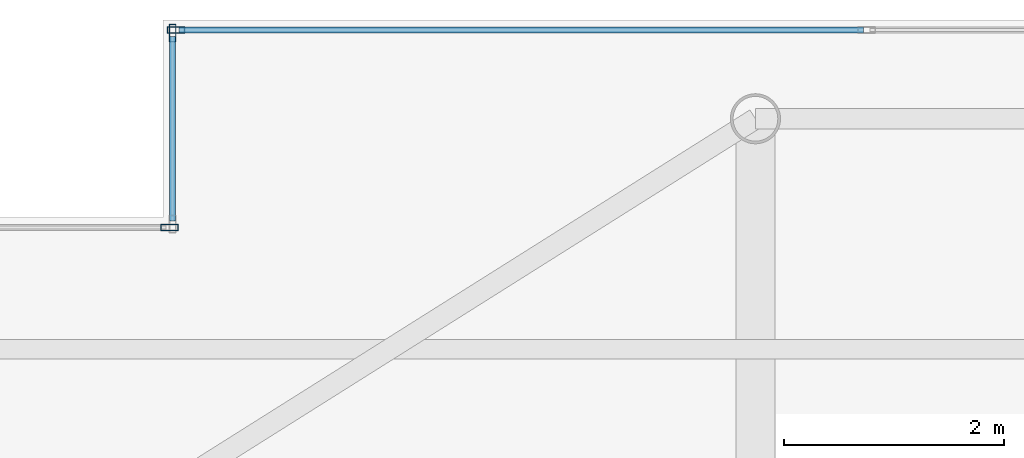
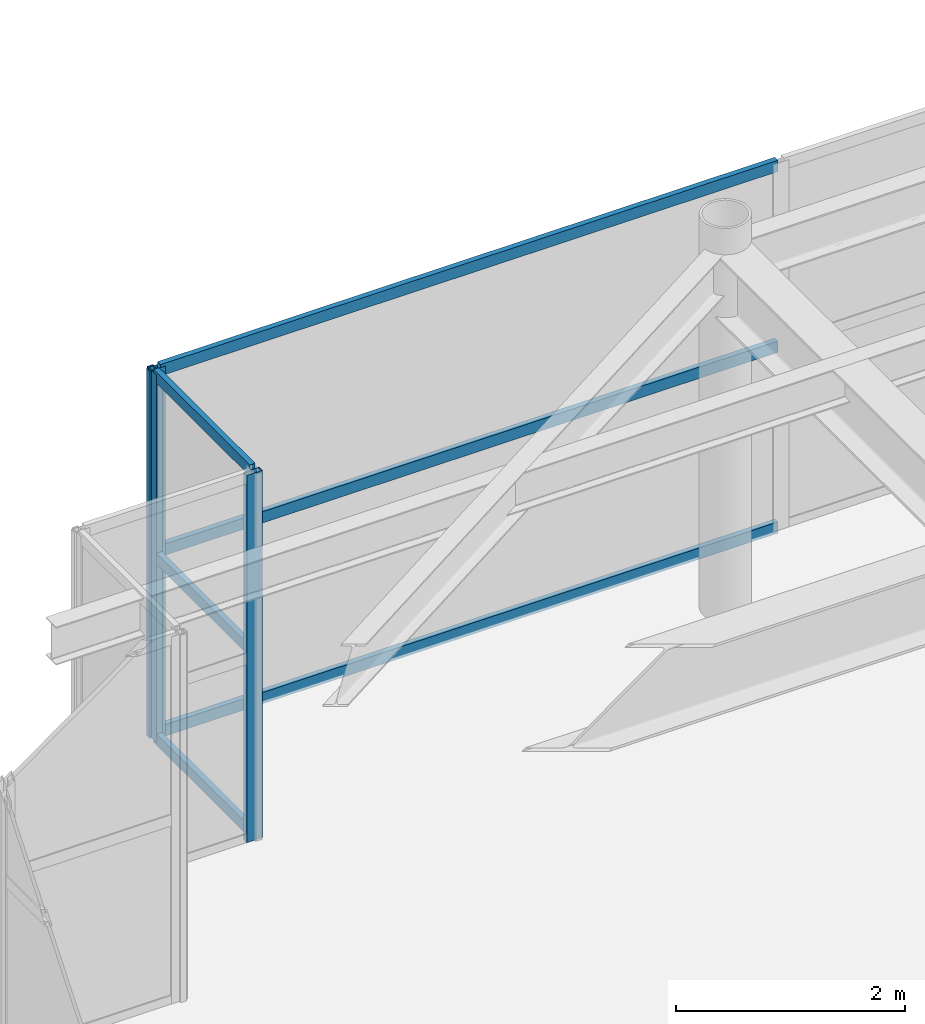
# One storey, part 22 of 32: 9 members, 3 elements without a shape of their own.
"""IFC4 building model written with IfcOpenShell, lengths in metres."""

from ifc_helpers import new_model, si_unit, direction, frame, origin, origin_2d, place, context, subcontext, project, spatial, hollow_rectangle, extrude, source, transform, mapped, material, layer, layer_set, material_profile, profile_set, type_object, element, aggregate, save


model = new_model("IFC4")

# Units and contexts
model_context = context("Model", 3, precision=1e-05, world=origin(), true_north=direction((0.0, 1.0)))
body_context = subcontext(model_context, "Body", "Model", "MODEL_VIEW")
ifc_project = project(units=[si_unit("LENGTHUNIT", "METRE"), si_unit("AREAUNIT", "SQUARE_METRE"), si_unit("VOLUMEUNIT", "CUBIC_METRE"), si_unit("PLANEANGLEUNIT", "RADIAN"), si_unit("MASSUNIT", "GRAM", prefix="KILO")], contexts=[model_context])

# Site, building, storey
site_placement = place(None, origin())
site = spatial("IfcSite", under=ifc_project, at=site_placement, CompositionType="ELEMENT")
building_placement = place(site_placement, origin())
building = spatial("IfcBuilding", under=site, at=building_placement, Name="Khoralis Quay Care Tower", CompositionType="ELEMENT")
storey_placement = place(building_placement, frame((0.0, 0.0, 310.5)))
storey = spatial("IfcBuildingStorey", under=building, at=storey_placement, Name="L81", CompositionType="ELEMENT", Elevation=310.5)

# Curtain wall, members
ifc_material = material(Name="Pale anodised aluminium", Category="aluminium")
ifc_layer = layer(ifc_material, 0.199951171875)
ifc_layer_set = layer_set([ifc_layer], Name="Pale anodised aluminium")
curtain_wall_type = type_object("IfcCurtainWallType", Name="CW-SYS-LANTERN", PredefinedType="NOTDEFINED", material=ifc_layer_set)
curtain_wall_1_placement = place(storey_placement, origin())
curtain_wall_1 = element("IfcCurtainWall", 1, at=curtain_wall_1_placement, inside=storey, type_object=curtain_wall_type, Name="L81 Unitised Curtain Wall CW-LN-L81-11", PredefinedType="NOTDEFINED")
ifc_material_profile_1 = material_profile(ifc_material, hollow_rectangle(XDim=0.054931640625, YDim=0.1201171875, WallThickness=0.00390625, at=origin_2d()), Name="Pale anodised aluminium")
ifc_profile_set_1 = profile_set([ifc_material_profile_1], Name="Pale anodised aluminium")
member_type_1 = type_object("IfcMemberType", Name="CW-TRN-120", PredefinedType="USERDEFINED", material=ifc_profile_set_1)
shared_shape_1 = source(origin(), body_context, "Body", "SweptSolid", [
    extrude(hollow_rectangle(XDim=0.054931640625, YDim=0.1201171875, WallThickness=0.00390625, at=origin_2d()), origin(), (0.0, 0.0, 1.0), 6.23388671875),
])
member_1_placement = place(storey_placement, frame((12.98388671875, 41.909912109375, 0.030029296875), z_axis=(-1.0, 0.0, 0.0), x_axis=(0.0, -1.0, 0.0)))
member_1 = element("IfcMember", 2, at=member_1_placement, type_object=member_type_1, Name="CW5 transom 5.1", ObjectType="TRANSOM", PredefinedType="USERDEFINED", context=body_context, shape_type="MappedRepresentation", body=[
    mapped(shared_shape_1, transform((0.0, 0.0, 0.0), scale=1.0)),
])
member_2_placement = place(storey_placement, frame((12.98388671875, 41.909912109375, 1.9599609375), z_axis=(-1.0, 0.0, 0.0), x_axis=(0.0, -1.0, 0.0)))
member_2 = element("IfcMember", 3, at=member_2_placement, type_object=member_type_1, Name="CW5 transom 5.2", ObjectType="TRANSOM", PredefinedType="USERDEFINED", context=body_context, shape_type="MappedRepresentation", body=[
    mapped(shared_shape_1, transform((0.0, 0.0, 0.0), scale=1.0)),
])
member_3_placement = place(storey_placement, frame((12.98388671875, 41.909912109375, 3.889892578125), z_axis=(-1.0, 0.0, 0.0), x_axis=(0.0, -1.0, 0.0)))
member_3 = element("IfcMember", 4, at=member_3_placement, type_object=member_type_1, Name="CW5 transom 5.3", ObjectType="TRANSOM", PredefinedType="USERDEFINED", context=body_context, shape_type="MappedRepresentation", body=[
    mapped(shared_shape_1, transform((0.0, 0.0, 0.0), scale=1.0)),
])

curtain_wall_2_placement = place(storey_placement, origin())
curtain_wall_2 = element("IfcCurtainWall", 5, at=curtain_wall_2_placement, inside=storey, type_object=curtain_wall_type, Name="L81 Unitised Curtain Wall CW-LN-L81-12", PredefinedType="NOTDEFINED")
shared_shape_2 = source(origin(), body_context, "Body", "SweptSolid", [
    extrude(hollow_rectangle(XDim=0.054931640625, YDim=0.1201171875, WallThickness=0.00390625, at=origin_2d()), origin(), (0.0, 0.0, 1.0), 1.68017578125),
])
member_4_placement = place(storey_placement, frame((6.68994140625, 41.85009765625, 0.030029296875), z_axis=(0.0, -1.0, 0.0), x_axis=(1.0, 0.0, 0.0)))
member_4 = element("IfcMember", 6, at=member_4_placement, type_object=member_type_1, Name="CW5 transom 1.1", ObjectType="TRANSOM", PredefinedType="USERDEFINED", context=body_context, shape_type="MappedRepresentation", body=[
    mapped(shared_shape_2, transform((0.0, 0.0, 0.0), scale=1.0)),
])
member_5_placement = place(storey_placement, frame((6.68994140625, 41.85009765625, 1.9599609375), z_axis=(0.0, -1.0, 0.0), x_axis=(1.0, 0.0, 0.0)))
member_5 = element("IfcMember", 7, at=member_5_placement, type_object=member_type_1, Name="CW5 transom 1.2", ObjectType="TRANSOM", PredefinedType="USERDEFINED", context=body_context, shape_type="MappedRepresentation", body=[
    mapped(shared_shape_2, transform((0.0, 0.0, 0.0), scale=1.0)),
])
member_6_placement = place(storey_placement, frame((6.68994140625, 41.85009765625, 3.889892578125), z_axis=(0.0, -1.0, 0.0), x_axis=(1.0, 0.0, 0.0)))
member_6 = element("IfcMember", 8, at=member_6_placement, type_object=member_type_1, Name="CW5 transom 1.3", ObjectType="TRANSOM", PredefinedType="USERDEFINED", context=body_context, shape_type="MappedRepresentation", body=[
    mapped(shared_shape_2, transform((0.0, 0.0, 0.0), scale=1.0)),
])

# Member
ifc_material_profile_2 = material_profile(ifc_material, hollow_rectangle(XDim=0.06005859375, YDim=0.159912109375, WallThickness=0.00390625, at=origin_2d()), Name="Pale anodised aluminium")
ifc_profile_set_2 = profile_set([ifc_material_profile_2], Name="Pale anodised aluminium")
member_type_2 = type_object("IfcMemberType", Name="CW-MUL-160", PredefinedType="MULLION", material=ifc_profile_set_2)
shared_shape_3 = source(origin(), body_context, "Body", "SweptSolid", [
    extrude(hollow_rectangle(XDim=0.06005859375, YDim=0.159912109375, WallThickness=0.00390625, at=origin_2d()), origin(), (0.0, 0.0, 1.0), 3.919921875),
])
member_7_placement = place(storey_placement, frame((6.719970703125, 41.909912109375, 0.0), z_axis=(0.0, 0.0, 1.0), x_axis=(0.0, -1.0, 0.0)))
member_7 = element("IfcMember", 9, at=member_7_placement, type_object=member_type_2, Name="CW5 mullion 6", PredefinedType="MULLION", context=body_context, shape_type="MappedRepresentation", body=[
    mapped(shared_shape_3, transform((0.0, 0.0, 0.0), scale=1.0)),
])

aggregate(curtain_wall_1, [member_7, member_1, member_2, member_3])

member_8_placement = place(storey_placement, frame((6.68994140625, 41.8798828125, 0.0), z_axis=(0.0, 0.0, 1.0), x_axis=(1.0, 0.0, 0.0)))
member_8 = element("IfcMember", 10, at=member_8_placement, type_object=member_type_2, Name="CW5 mullion 1", PredefinedType="MULLION", context=body_context, shape_type="MappedRepresentation", body=[
    mapped(shared_shape_3, transform((0.0, 0.0, 0.0), scale=1.0)),
])

aggregate(curtain_wall_2, [member_8, member_4, member_5, member_6])

# Curtain wall, member
curtain_wall_3_placement = place(storey_placement, origin())
curtain_wall_3 = element("IfcCurtainWall", 11, at=curtain_wall_3_placement, inside=storey, type_object=curtain_wall_type, Name="L81 Unitised Curtain Wall CW-LN-L81-13", PredefinedType="NOTDEFINED")
member_9_placement = place(storey_placement, frame((6.659912109375, 40.110107421875, 0.0), z_axis=(0.0, 0.0, 1.0), x_axis=(0.0, -1.0, 0.0)))
member_9 = element("IfcMember", 12, at=member_9_placement, type_object=member_type_2, Name="CW5 mullion 1", PredefinedType="MULLION", context=body_context, shape_type="MappedRepresentation", body=[
    mapped(shared_shape_3, transform((0.0, 0.0, 0.0), scale=1.0)),
])
aggregate(curtain_wall_3, [member_9])

save(model, "model.ifc")
